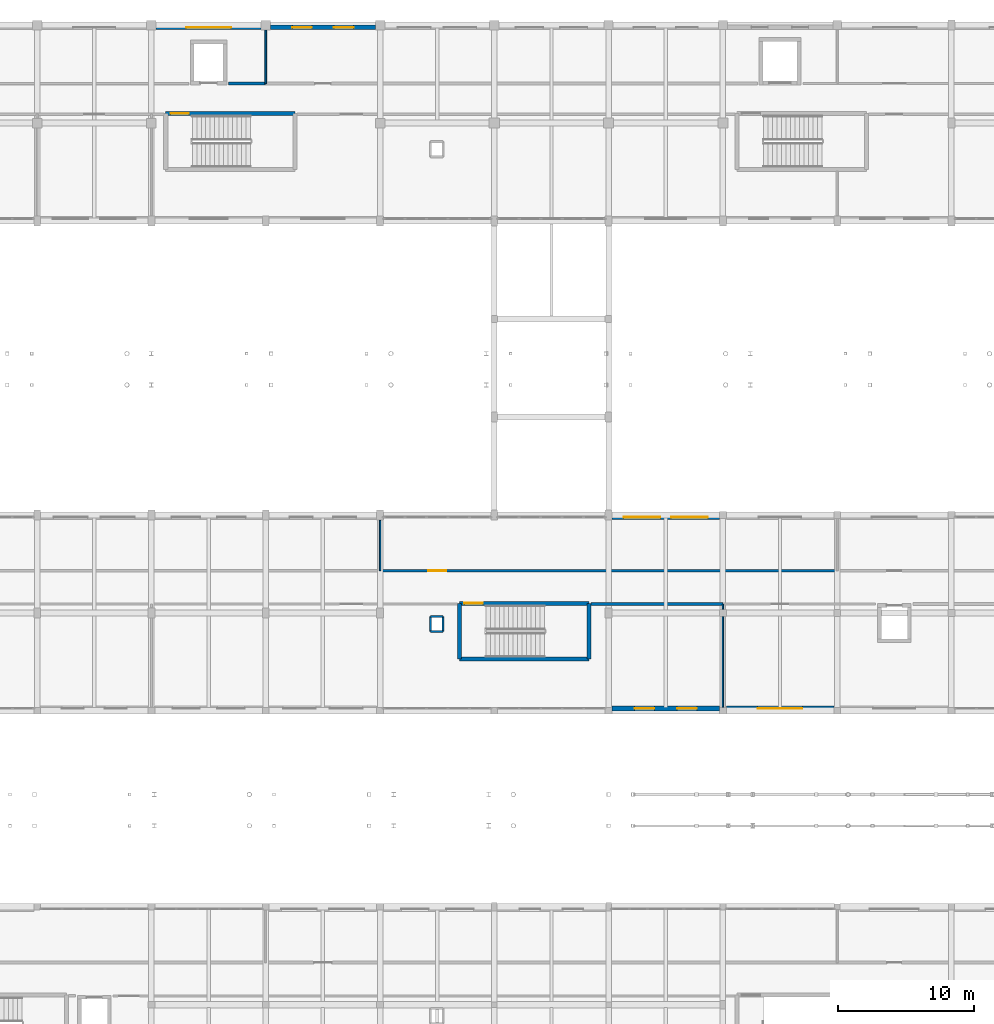
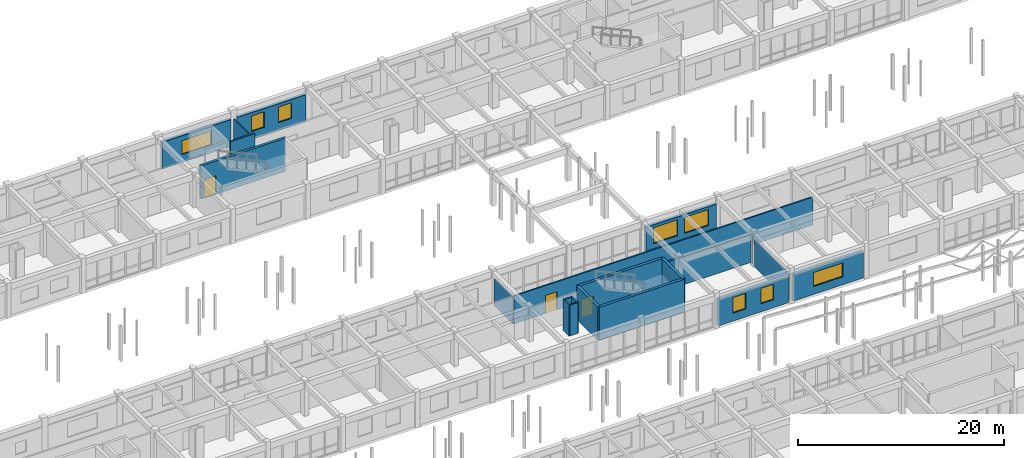
# One storey, part 76 of 90: 21 walls, 8 windows, 3 doors, 11 openings.
"""IFC4 building model written with IfcOpenShell, lengths in metres."""

from ifc_helpers import new_model, si_unit, direction, frame, frame_2d, origin, place, context, subcontext, project, spatial, rectangle, extrude, material, layer, layer_set, type_object, element, fill, save


model = new_model("IFC4")

# Units and contexts
model_context = context("Model", 3, precision=1e-05, world=origin(), true_north=direction((0.0, 1.0)))
body_context = subcontext(model_context, "Body", "Model", "MODEL_VIEW")
ifc_project = project(units=[si_unit("LENGTHUNIT", "METRE"), si_unit("AREAUNIT", "SQUARE_METRE"), si_unit("VOLUMEUNIT", "CUBIC_METRE"), si_unit("PLANEANGLEUNIT", "RADIAN"), si_unit("MASSUNIT", "GRAM", prefix="KILO")], contexts=[model_context])

# Site, building, storey
site_placement = place(None, origin())
site = spatial("IfcSite", under=ifc_project, at=site_placement, CompositionType="ELEMENT")
building_placement = place(site_placement, origin())
building = spatial("IfcBuilding", under=site, at=building_placement, Name="Malvenik Polytechnic", CompositionType="ELEMENT")
storey_placement = place(building_placement, frame((0.0, 0.0, 9.300048828125)))
storey = spatial("IfcBuildingStorey", under=building, at=storey_placement, Name="L02", CompositionType="ELEMENT", Elevation=9.300048828125)

# Wall, opening, door
ifc_material_1 = material(Name="Concrete C35/45", Category="concrete")
ifc_layer_1 = layer(ifc_material_1, 0.300048828125)
ifc_layer_set_1 = layer_set([ifc_layer_1], Name="Concrete C35/45")
wall_type_1 = type_object("IfcWallType", Name="ARC-CW-S300", PredefinedType="SHEAR", material=ifc_layer_set_1)
wall_1_placement = place(storey_placement, frame((51.449951171875, 123.10009765625, 0.0), z_axis=(0.0, 0.0, 1.0), x_axis=(1.0, 0.0, 0.0)))
wall_1 = element("IfcWall", 1, at=wall_1_placement, inside=storey, type_object=wall_type_1, Name="Stair Core Shear Wall ST-02 L02 RGHT", PredefinedType="SHEAR", context=body_context, shape_type="SweptSolid", body=[
    extrude(rectangle(XDim=9.5, YDim=0.300048828125, at=frame_2d((4.75, 0.0))), origin(), (0.0, 0.0, 1.0), 3.93994140625),
])
opening_1_placement = place(wall_1_placement, frame((0.35009765625, 0.0, 0.0)))
opening_1 = element("IfcOpeningElement", 2, at=opening_1_placement, cuts=wall_1, Name="Opening SD-01", PredefinedType="OPENING", context=body_context, shape_type="SweptSolid", body=[
    extrude(rectangle(XDim=1.35009765625, YDim=2.199951171875, at=frame_2d((0.675048828125, 1.10009765625))), frame((0.0, 0.16015625, 0.0), z_axis=(0.0, -1.0, 0.0), x_axis=(1.0, 0.0, 0.0)), (0.0, 0.0, 1.0), 0.320068359375),
])
ifc_material_2 = material(Name="Fire-rated steel stair enclosure door", Category="steel")
door_type_1 = type_object("IfcDoorType", Name="ARC-IDR-SD-01", OperationType="NOTDEFINED", PredefinedType="DOOR", material=ifc_material_2)
door_1_placement = place(opening_1_placement, origin())
door_1 = element("IfcDoor", 3, at=door_1_placement, inside=storey, type_object=door_type_1, Name="Fire Stair Door ST-02 L02", OperationType="SINGLE_SWING_LEFT", OverallHeight=2.199951171875, OverallWidth=1.35009765625, PredefinedType="DOOR", context=body_context, shape_type="SweptSolid", body=[
    extrude(rectangle(XDim=1.35009765625, YDim=2.199951171875, at=frame_2d((0.675048828125, 1.10009765625))), frame((0.0, 0.02490234375, 0.0), z_axis=(0.0, -1.0, 0.0), x_axis=(1.0, 0.0, 0.0)), (0.0, 0.0, 1.0), 0.050048828125),
])
fill(opening_1, door_1)

# Wall
wall_2_placement = place(storey_placement, frame((73.050048828125, 83.0, 0.0), z_axis=(0.0, 0.0, 1.0), x_axis=(0.0, 1.0, 0.0)))
element("IfcWall", 4, at=wall_2_placement, inside=storey, type_object=wall_type_1, Name="Stair Core Shear Wall ST-05 L02 NEAR", PredefinedType="SHEAR", context=body_context, shape_type="SweptSolid", body=[
    extrude(rectangle(XDim=4.10009765625, YDim=0.300048828125, at=frame_2d((2.050048828125, 0.0))), origin(), (0.0, 0.0, 1.0), 3.93994140625),
])

# Wall, opening, door
wall_3_placement = place(storey_placement, frame((73.050048828125, 87.10009765625, 0.0), z_axis=(0.0, 0.0, 1.0), x_axis=(1.0, 0.0, 0.0)))
wall_3 = element("IfcWall", 5, at=wall_3_placement, inside=storey, type_object=wall_type_1, Name="Stair Core Shear Wall ST-05 L02 RGHT", PredefinedType="SHEAR", context=body_context, shape_type="SweptSolid", body=[
    extrude(rectangle(XDim=9.5, YDim=0.300048828125, at=frame_2d((4.75, 0.0))), origin(), (0.0, 0.0, 1.0), 3.93994140625),
])
opening_2_placement = place(wall_3_placement, frame((0.35009765625, 0.0, 0.0)))
opening_2 = element("IfcOpeningElement", 6, at=opening_2_placement, cuts=wall_3, Name="Opening SD-01", PredefinedType="OPENING", context=body_context, shape_type="SweptSolid", body=[
    extrude(rectangle(XDim=1.35009765625, YDim=2.199951171875, at=frame_2d((0.675048828125, 1.10009765625))), frame((0.0, 0.16015625, 0.0), z_axis=(0.0, -1.0, 0.0), x_axis=(1.0, 0.0, 0.0)), (0.0, 0.0, 1.0), 0.320068359375),
])
door_2_placement = place(opening_2_placement, origin())
door_2 = element("IfcDoor", 7, at=door_2_placement, inside=storey, type_object=door_type_1, Name="Fire Stair Door ST-05 L02", OperationType="SINGLE_SWING_RIGHT", OverallHeight=2.199951171875, OverallWidth=1.35009765625, PredefinedType="DOOR", context=body_context, shape_type="SweptSolid", body=[
    extrude(rectangle(XDim=1.35009765625, YDim=2.199951171875, at=frame_2d((0.675048828125, 1.10009765625))), frame((0.0, 0.02490234375, 0.0), z_axis=(0.0, -1.0, 0.0), x_axis=(1.0, 0.0, 0.0)), (0.0, 0.0, 1.0), 0.050048828125),
])
fill(opening_2, door_2)

# Walls
wall_4_placement = place(storey_placement, frame((82.550048828125, 87.10009765625, 0.0), z_axis=(0.0, 0.0, 1.0), x_axis=(0.0, -1.0, 0.0)))
element("IfcWall", 8, at=wall_4_placement, inside=storey, type_object=wall_type_1, Name="Stair Core Shear Wall ST-05 L02 FAR", PredefinedType="SHEAR", context=body_context, shape_type="SweptSolid", body=[
    extrude(rectangle(XDim=4.10009765625, YDim=0.300048828125, at=frame_2d((2.050048828125, 0.0))), origin(), (0.0, 0.0, 1.0), 3.93994140625),
])
wall_5_placement = place(storey_placement, frame((82.550048828125, 83.0, 0.0), z_axis=(0.0, 0.0, 1.0), x_axis=(-1.0, 0.0, 0.0)))
element("IfcWall", 9, at=wall_5_placement, inside=storey, type_object=wall_type_1, Name="Stair Core Shear Wall ST-05 L02 LEFT", PredefinedType="SHEAR", context=body_context, shape_type="SweptSolid", body=[
    extrude(rectangle(XDim=9.5, YDim=0.300048828125, at=frame_2d((4.75, 0.0))), origin(), (0.0, 0.0, 1.0), 3.93994140625),
])

# Wall, opening, window
ifc_material_3 = material(Name="Concrete C30/37", Category="concrete")
ifc_layer_2 = layer(ifc_material_3, 0.340087890625)
ifc_layer_set_2 = layer_set([ifc_layer_2], Name="Concrete C30/37")
wall_type_2 = type_object("IfcWallType", Name="ARC-EW-340", PredefinedType="SOLIDWALL", material=ifc_layer_set_2)
wall_6_placement = place(storey_placement, frame((100.552001953125, 79.3701171875, 0.0), z_axis=(0.0, 0.0, 1.0), x_axis=(-1.0, 0.0, 0.0)))
wall_6 = element("IfcWall", 10, at=wall_6_placement, inside=storey, type_object=wall_type_2, Name="External Facade Wall EW-02 L02 #299", PredefinedType="SOLIDWALL", context=body_context, shape_type="SweptSolid", body=[
    extrude(rectangle(XDim=7.904052734375, YDim=0.340087890625, at=frame_2d((3.9521484375, 0.0))), origin(), (0.0, 0.0, 1.0), 3.179931640625),
])
opening_3_placement = place(wall_6_placement, frame((2.302001953125, 0.0, 0.949951171875)))
opening_3 = element("IfcOpeningElement", 11, at=opening_3_placement, cuts=wall_6, Name="Opening W-30", PredefinedType="OPENING", context=body_context, shape_type="SweptSolid", body=[
    extrude(rectangle(XDim=3.300048828125, YDim=1.64990234375, at=frame_2d((1.64990234375, 0.824951171875))), frame((0.0, 0.18017578125, 0.0), z_axis=(0.0, -1.0, 0.0), x_axis=(1.0, 0.0, 0.0)), (0.0, 0.0, 1.0), 0.360107421875),
])
ifc_material_4 = material(Name="Thermally broken aluminium frame with low-E double glazing", Category="aluminium")
window_type_1 = type_object("IfcWindowType", Name="ARC-WIN-W-30", PartitioningType="SINGLE_PANEL", PredefinedType="WINDOW", material=ifc_material_4)
window_1_placement = place(opening_3_placement, origin())
window_1 = element("IfcWindow", 12, at=window_1_placement, inside=storey, type_object=window_type_1, Name="Punched Window W-30 L02 #270", OverallHeight=1.64990234375, OverallWidth=3.300048828125, PartitioningType="SINGLE_PANEL", PredefinedType="WINDOW", context=body_context, shape_type="SweptSolid", body=[
    extrude(rectangle(XDim=3.300048828125, YDim=1.64990234375, at=frame_2d((1.64990234375, 0.824951171875))), frame((0.0, 0.030029296875, 0.0), z_axis=(0.0, -1.0, 0.0), x_axis=(1.0, 0.0, 0.0)), (0.0, 0.0, 1.0), 0.06005859375),
])
fill(opening_3, window_1)

# Wall, openings, windows
wall_7_placement = place(storey_placement, frame((92.152099609375, 79.3701171875, 0.0), z_axis=(0.0, 0.0, 1.0), x_axis=(-1.0, 0.0, 0.0)))
wall_7 = element("IfcWall", 13, at=wall_7_placement, inside=storey, type_object=wall_type_2, Name="External Facade Wall EW-02 L02 #300", PredefinedType="SOLIDWALL", context=body_context, shape_type="SweptSolid", body=[
    extrude(rectangle(XDim=7.904052734375, YDim=0.340087890625, at=frame_2d((3.9521484375, 0.0))), origin(), (0.0, 0.0, 1.0), 3.179931640625),
])
opening_4_placement = place(wall_7_placement, frame((1.66796875, 0.0, 0.949951171875)))
opening_4 = element("IfcOpeningElement", 14, at=opening_4_placement, cuts=wall_7, Name="Opening W-31", PredefinedType="OPENING", context=body_context, shape_type="SweptSolid", body=[
    extrude(rectangle(XDim=1.449951171875, YDim=1.85009765625, at=frame_2d((0.72509765625, 0.925048828125))), frame((0.0, 0.18017578125, 0.0), z_axis=(0.0, -1.0, 0.0), x_axis=(1.0, 0.0, 0.0)), (0.0, 0.0, 1.0), 0.360107421875),
])
opening_5_placement = place(wall_7_placement, frame((4.785888671875, 0.0, 0.949951171875)))
opening_5 = element("IfcOpeningElement", 15, at=opening_5_placement, cuts=wall_7, Name="Opening W-31", PredefinedType="OPENING", context=body_context, shape_type="SweptSolid", body=[
    extrude(rectangle(XDim=1.449951171875, YDim=1.85009765625, at=frame_2d((0.72509765625, 0.925048828125))), frame((0.0, 0.18017578125, 0.0), z_axis=(0.0, -1.0, 0.0), x_axis=(1.0, 0.0, 0.0)), (0.0, 0.0, 1.0), 0.360107421875),
])
window_type_2 = type_object("IfcWindowType", Name="ARC-WIN-W-31", PartitioningType="SINGLE_PANEL", PredefinedType="WINDOW", material=ifc_material_4)
window_2_placement = place(opening_4_placement, origin())
window_2 = element("IfcWindow", 16, at=window_2_placement, inside=storey, type_object=window_type_2, Name="Punched Window W-31 L02 #271", OverallHeight=1.85009765625, OverallWidth=1.449951171875, PartitioningType="SINGLE_PANEL", PredefinedType="WINDOW", context=body_context, shape_type="SweptSolid", body=[
    extrude(rectangle(XDim=1.449951171875, YDim=1.85009765625, at=frame_2d((0.72509765625, 0.925048828125))), frame((0.0, 0.030029296875, 0.0), z_axis=(0.0, -1.0, 0.0), x_axis=(1.0, 0.0, 0.0)), (0.0, 0.0, 1.0), 0.06005859375),
])
fill(opening_4, window_2)
window_3_placement = place(opening_5_placement, origin())
window_3 = element("IfcWindow", 17, at=window_3_placement, inside=storey, type_object=window_type_2, Name="Punched Window W-31 L02 #272", OverallHeight=1.85009765625, OverallWidth=1.449951171875, PartitioningType="SINGLE_PANEL", PredefinedType="WINDOW", context=body_context, shape_type="SweptSolid", body=[
    extrude(rectangle(XDim=1.449951171875, YDim=1.85009765625, at=frame_2d((0.72509765625, 0.925048828125))), frame((0.0, 0.030029296875, 0.0), z_axis=(0.0, -1.0, 0.0), x_axis=(1.0, 0.0, 0.0)), (0.0, 0.0, 1.0), 0.06005859375),
])
fill(opening_5, window_3)

wall_8_placement = place(storey_placement, frame((84.248046875, 93.429931640625, 0.0), z_axis=(0.0, 0.0, 1.0), x_axis=(1.0, 0.0, 0.0)))
wall_8 = element("IfcWall", 18, at=wall_8_placement, inside=storey, type_object=wall_type_2, Name="External Facade Wall EW-02 L02 #317", PredefinedType="SOLIDWALL", context=body_context, shape_type="SweptSolid", body=[
    extrude(rectangle(XDim=7.904052734375, YDim=0.340087890625, at=frame_2d((3.9521484375, 0.0))), origin(), (0.0, 0.0, 1.0), 3.179931640625),
])
opening_6_placement = place(wall_8_placement, frame((0.85009765625, 0.0, 0.949951171875)))
opening_6 = element("IfcOpeningElement", 19, at=opening_6_placement, cuts=wall_8, Name="Opening W-27", PredefinedType="OPENING", context=body_context, shape_type="SweptSolid", body=[
    extrude(rectangle(XDim=2.699951171875, YDim=1.89990234375, at=frame_2d((1.35009765625, 0.949951171875))), frame((0.0, 0.18017578125, 0.0), z_axis=(0.0, -1.0, 0.0), x_axis=(1.0, 0.0, 0.0)), (0.0, 0.0, 1.0), 0.360107421875),
])
opening_7_placement = place(wall_8_placement, frame((4.35400390625, 0.0, 0.949951171875)))
opening_7 = element("IfcOpeningElement", 20, at=opening_7_placement, cuts=wall_8, Name="Opening W-27", PredefinedType="OPENING", context=body_context, shape_type="SweptSolid", body=[
    extrude(rectangle(XDim=2.699951171875, YDim=1.89990234375, at=frame_2d((1.35009765625, 0.949951171875))), frame((0.0, 0.18017578125, 0.0), z_axis=(0.0, -1.0, 0.0), x_axis=(1.0, 0.0, 0.0)), (0.0, 0.0, 1.0), 0.360107421875),
])
window_type_3 = type_object("IfcWindowType", Name="ARC-WIN-W-27", PartitioningType="SINGLE_PANEL", PredefinedType="WINDOW", material=ifc_material_4)
window_4_placement = place(opening_6_placement, origin())
window_4 = element("IfcWindow", 21, at=window_4_placement, inside=storey, type_object=window_type_3, Name="Punched Window W-27 L02 #299", OverallHeight=1.89990234375, OverallWidth=2.699951171875, PartitioningType="SINGLE_PANEL", PredefinedType="WINDOW", context=body_context, shape_type="SweptSolid", body=[
    extrude(rectangle(XDim=2.699951171875, YDim=1.89990234375, at=frame_2d((1.35009765625, 0.949951171875))), frame((0.0, 0.030029296875, 0.0), z_axis=(0.0, -1.0, 0.0), x_axis=(1.0, 0.0, 0.0)), (0.0, 0.0, 1.0), 0.06005859375),
])
fill(opening_6, window_4)
window_5_placement = place(opening_7_placement, origin())
window_5 = element("IfcWindow", 22, at=window_5_placement, inside=storey, type_object=window_type_3, Name="Punched Window W-27 L02 #300", OverallHeight=1.89990234375, OverallWidth=2.699951171875, PartitioningType="SINGLE_PANEL", PredefinedType="WINDOW", context=body_context, shape_type="SweptSolid", body=[
    extrude(rectangle(XDim=2.699951171875, YDim=1.89990234375, at=frame_2d((1.35009765625, 0.949951171875))), frame((0.0, 0.030029296875, 0.0), z_axis=(0.0, -1.0, 0.0), x_axis=(1.0, 0.0, 0.0)), (0.0, 0.0, 1.0), 0.06005859375),
])
fill(opening_7, window_5)

# Wall, opening, window
wall_9_placement = place(storey_placement, frame((50.748046875, 129.429931640625, 0.0), z_axis=(0.0, 0.0, 1.0), x_axis=(1.0, 0.0, 0.0)))
wall_9 = element("IfcWall", 23, at=wall_9_placement, inside=storey, type_object=wall_type_2, Name="External Facade Wall EW-02 L02 #342", PredefinedType="SOLIDWALL", context=body_context, shape_type="SweptSolid", body=[
    extrude(rectangle(XDim=7.703857421875, YDim=0.340087890625, at=frame_2d((3.85205078125, 0.0))), origin(), (0.0, 0.0, 1.0), 3.179931640625),
])
opening_8_placement = place(wall_9_placement, frame((2.201904296875, 0.0, 0.949951171875)))
opening_8 = element("IfcOpeningElement", 24, at=opening_8_placement, cuts=wall_9, Name="Opening W-30", PredefinedType="OPENING", context=body_context, shape_type="SweptSolid", body=[
    extrude(rectangle(XDim=3.300048828125, YDim=1.64990234375, at=frame_2d((1.64990234375, 0.824951171875))), frame((0.0, 0.18017578125, 0.0), z_axis=(0.0, -1.0, 0.0), x_axis=(1.0, 0.0, 0.0)), (0.0, 0.0, 1.0), 0.360107421875),
])
window_6_placement = place(opening_8_placement, origin())
window_6 = element("IfcWindow", 25, at=window_6_placement, inside=storey, type_object=window_type_1, Name="Punched Window W-30 L02 #334", OverallHeight=1.64990234375, OverallWidth=3.300048828125, PartitioningType="SINGLE_PANEL", PredefinedType="WINDOW", context=body_context, shape_type="SweptSolid", body=[
    extrude(rectangle(XDim=3.300048828125, YDim=1.64990234375, at=frame_2d((1.64990234375, 0.824951171875))), frame((0.0, 0.030029296875, 0.0), z_axis=(0.0, -1.0, 0.0), x_axis=(1.0, 0.0, 0.0)), (0.0, 0.0, 1.0), 0.06005859375),
])
fill(opening_8, window_6)

# Wall, openings, windows
wall_10_placement = place(storey_placement, frame((59.14794921875, 129.429931640625, 0.0), z_axis=(0.0, 0.0, 1.0), x_axis=(1.0, 0.0, 0.0)))
wall_10 = element("IfcWall", 26, at=wall_10_placement, inside=storey, type_object=wall_type_2, Name="External Facade Wall EW-02 L02 #343", PredefinedType="SOLIDWALL", context=body_context, shape_type="SweptSolid", body=[
    extrude(rectangle(XDim=7.7041015625, YDim=0.340087890625, at=frame_2d((3.85205078125, 0.0))), origin(), (0.0, 0.0, 1.0), 3.179931640625),
])
opening_9_placement = place(wall_10_placement, frame((1.601318359375, 0.0, 0.949951171875)))
opening_9 = element("IfcOpeningElement", 27, at=opening_9_placement, cuts=wall_10, Name="Opening W-31", PredefinedType="OPENING", context=body_context, shape_type="SweptSolid", body=[
    extrude(rectangle(XDim=1.449951171875, YDim=1.85009765625, at=frame_2d((0.72509765625, 0.925048828125))), frame((0.0, 0.18017578125, 0.0), z_axis=(0.0, -1.0, 0.0), x_axis=(1.0, 0.0, 0.0)), (0.0, 0.0, 1.0), 0.360107421875),
])
opening_10_placement = place(wall_10_placement, frame((4.652587890625, 0.0, 0.949951171875)))
opening_10 = element("IfcOpeningElement", 28, at=opening_10_placement, cuts=wall_10, Name="Opening W-31", PredefinedType="OPENING", context=body_context, shape_type="SweptSolid", body=[
    extrude(rectangle(XDim=1.449951171875, YDim=1.85009765625, at=frame_2d((0.72509765625, 0.925048828125))), frame((0.0, 0.18017578125, 0.0), z_axis=(0.0, -1.0, 0.0), x_axis=(1.0, 0.0, 0.0)), (0.0, 0.0, 1.0), 0.360107421875),
])
window_7_placement = place(opening_9_placement, origin())
window_7 = element("IfcWindow", 29, at=window_7_placement, inside=storey, type_object=window_type_2, Name="Punched Window W-31 L02 #335", OverallHeight=1.85009765625, OverallWidth=1.449951171875, PartitioningType="SINGLE_PANEL", PredefinedType="WINDOW", context=body_context, shape_type="SweptSolid", body=[
    extrude(rectangle(XDim=1.449951171875, YDim=1.85009765625, at=frame_2d((0.72509765625, 0.925048828125))), frame((0.0, 0.030029296875, 0.0), z_axis=(0.0, -1.0, 0.0), x_axis=(1.0, 0.0, 0.0)), (0.0, 0.0, 1.0), 0.06005859375),
])
fill(opening_9, window_7)
window_8_placement = place(opening_10_placement, origin())
window_8 = element("IfcWindow", 30, at=window_8_placement, inside=storey, type_object=window_type_2, Name="Punched Window W-31 L02 #336", OverallHeight=1.85009765625, OverallWidth=1.449951171875, PartitioningType="SINGLE_PANEL", PredefinedType="WINDOW", context=body_context, shape_type="SweptSolid", body=[
    extrude(rectangle(XDim=1.449951171875, YDim=1.85009765625, at=frame_2d((0.72509765625, 0.925048828125))), frame((0.0, 0.030029296875, 0.0), z_axis=(0.0, -1.0, 0.0), x_axis=(1.0, 0.0, 0.0)), (0.0, 0.0, 1.0), 0.06005859375),
])
fill(opening_10, window_8)

# Walls
ifc_material_5 = material(Name="Calcium silicate fire-rated blockwork 200mm", Category="masonry")
ifc_layer_3 = layer(ifc_material_5, 0.199951171875)
ifc_layer_set_3 = layer_set([ifc_layer_3], Name="Calcium silicate fire-rated blockwork 200mm")
wall_type_3 = type_object("IfcWallType", Name="ARC-FW-200", PredefinedType="SOLIDWALL", material=ifc_layer_set_3)
wall_11_placement = place(storey_placement, frame((56.070068359375, 125.300048828125, 0.0), z_axis=(0.0, 0.0, 1.0), x_axis=(1.0, 0.0, 0.0)))
element("IfcWall", 31, at=wall_11_placement, inside=storey, type_object=wall_type_3, Name="Interior Partition FW-02 L02 #240", PredefinedType="SOLIDWALL", context=body_context, shape_type="SweptSolid", body=[
    extrude(rectangle(XDim=2.72998046875, YDim=0.199951171875, at=frame_2d((1.364990234375, 0.0))), origin(), (0.0, 0.0, 1.0), 3.849853515625),
])
wall_12_placement = place(storey_placement, frame((92.39990234375, 87.050048828125, 0.0), z_axis=(0.0, 0.0, 1.0), x_axis=(-1.0, 0.0, 0.0)))
element("IfcWall", 32, at=wall_12_placement, inside=storey, type_object=wall_type_3, Name="Interior Partition FW-02 L02 #278", PredefinedType="SOLIDWALL", context=body_context, shape_type="SweptSolid", body=[
    extrude(rectangle(XDim=9.7099609375, YDim=0.199951171875, at=frame_2d((4.85498046875, 0.0))), origin(), (0.0, 0.0, 1.0), 3.324951171875),
])
ifc_material_6 = material(Name="Lightweight gypsum partition 110mm", Category="gypsum")
ifc_layer_4 = layer(ifc_material_6, 0.110107421875)
ifc_layer_set_4 = layer_set([ifc_layer_4], Name="Lightweight gypsum partition 110mm")
wall_type_4 = type_object("IfcWallType", Name="ARC-PW-110", PredefinedType="PARTITIONING", material=ifc_layer_set_4)
wall_13_placement = place(storey_placement, frame((67.199951171875, 89.5, 0.0), z_axis=(0.0, 0.0, 1.0), x_axis=(0.0, 1.0, 0.0)))
element("IfcWall", 33, at=wall_13_placement, inside=storey, type_object=wall_type_4, Name="Interior Partition PW-04I L02 #266", PredefinedType="PARTITIONING", context=body_context, shape_type="SweptSolid", body=[
    extrude(rectangle(XDim=3.705078125, YDim=0.110107421875, at=frame_2d((1.8525390625, 0.0))), origin(), (0.0, 0.0, 1.0), 3.175048828125),
])
wall_14_placement = place(storey_placement, frame((92.39990234375, 86.669921875, 0.0), z_axis=(0.0, 0.0, 1.0), x_axis=(0.0, 1.0, 0.0)))
element("IfcWall", 34, at=wall_14_placement, inside=storey, type_object=wall_type_4, Name="Interior Partition PW-04I L02 #281", PredefinedType="PARTITIONING", context=body_context, shape_type="SweptSolid", body=[
    extrude(rectangle(XDim=0.380126953125, YDim=0.110107421875, at=frame_2d((0.18994140625, 0.0))), origin(), (0.0, 0.0, 1.0), 3.175048828125),
])
ifc_material_7 = material(Name="Metal-stud gypsum board partition 125mm", Category="gypsum")
ifc_layer_5 = layer(ifc_material_7, 0.125)
ifc_layer_set_5 = layer_set([ifc_layer_5], Name="Metal-stud gypsum board partition 125mm")
wall_type_5 = type_object("IfcWallType", Name="ARC-PW-125", PredefinedType="PARTITIONING", material=ifc_layer_set_5)
wall_15_placement = place(storey_placement, frame((58.800048828125, 125.300048828125, 0.0), z_axis=(0.0, 0.0, 1.0), x_axis=(0.0, 1.0, 0.0)))
element("IfcWall", 35, at=wall_15_placement, inside=storey, type_object=wall_type_5, Name="Interior Partition PW-03I L02 #241", PredefinedType="PARTITIONING", context=body_context, shape_type="SweptSolid", body=[
    extrude(rectangle(XDim=3.929931640625, YDim=0.125, at=frame_2d((1.96484375, 0.0))), origin(), (0.0, 0.0, 1.0), 3.175048828125),
])
wall_16_placement = place(storey_placement, frame((92.39990234375, 79.469970703125, 0.0), z_axis=(0.0, 0.0, 1.0), x_axis=(0.0, 1.0, 0.0)))
element("IfcWall", 36, at=wall_16_placement, inside=storey, type_object=wall_type_5, Name="Interior Partition PW-03I L02 #280", PredefinedType="PARTITIONING", context=body_context, shape_type="SweptSolid", body=[
    extrude(rectangle(XDim=6.659912109375, YDim=0.125, at=frame_2d((3.330078125, 0.0))), origin(), (0.0, 0.0, 1.0), 3.175048828125),
])
ifc_material_8 = material(Name="Double-stud acoustic gypsum board partition 160mm", Category="gypsum")
ifc_layer_6 = layer(ifc_material_8, 0.159912109375)
ifc_layer_set_6 = layer_set([ifc_layer_6], Name="Double-stud acoustic gypsum board partition 160mm")
wall_type_6 = type_object("IfcWallType", Name="ARC-PW-160", PredefinedType="PARTITIONING", material=ifc_layer_set_6)
for number, where, z_axis, x_axis, name in (
    (37, (70.919921875, 85.02001953125, 0.0), (0.0, 0.0, 1.0), (1.0, 0.0, 0.0), "Riser Shaft Enclosure L02 #32S"),
    (38, (71.830078125, 86.1298828125, 0.0), (0.0, 0.0, 1.0), (-1.0, 0.0, 0.0), "Riser Shaft Enclosure L02 #32N"),
):
    element("IfcWall", number, at=place(storey_placement, frame(where, z_axis=z_axis, x_axis=x_axis)), inside=storey, type_object=wall_type_6, Name=name, PredefinedType="PARTITIONING", context=body_context, shape_type="SweptSolid", body=[
        extrude(rectangle(XDim=0.91015625, YDim=0.159912109375, at=frame_2d((0.455078125, 0.0))), origin(), (0.0, 0.0, 1.0), 3.64990234375),
    ])
for number, where, z_axis, x_axis, name in (
    (39, (70.919921875, 86.1298828125, 0.0), (0.0, 0.0, 1.0), (0.0, -1.0, 0.0), "Riser Shaft Enclosure L02 #32W"),
    (40, (71.830078125, 85.02001953125, 0.0), (0.0, 0.0, 1.0), (0.0, 1.0, 0.0), "Riser Shaft Enclosure L02 #32E"),
):
    element("IfcWall", number, at=place(storey_placement, frame(where, z_axis=z_axis, x_axis=x_axis)), inside=storey, type_object=wall_type_6, Name=name, PredefinedType="PARTITIONING", context=body_context, shape_type="SweptSolid", body=[
        extrude(rectangle(XDim=1.10986328125, YDim=0.159912109375, at=frame_2d((0.554931640625, 0.0))), origin(), (0.0, 0.0, 1.0), 3.64990234375),
    ])

# Wall, opening, door
wall_17_placement = place(storey_placement, frame((67.199951171875, 89.5, 0.0), z_axis=(0.0, 0.0, 1.0), x_axis=(1.0, 0.0, 0.0)))
wall_17 = element("IfcWall", 41, at=wall_17_placement, inside=storey, type_object=wall_type_6, Name="Interior Partition PW-01I L02 #267", PredefinedType="PARTITIONING", context=body_context, shape_type="SweptSolid", body=[
    extrude(rectangle(XDim=33.60009765625, YDim=0.159912109375, at=frame_2d((16.800048828125, 0.0))), origin(), (0.0, 0.0, 1.0), 3.324951171875),
])
opening_11_placement = place(wall_17_placement, frame((3.550048828125, 0.0, 0.0)))
opening_11 = element("IfcOpeningElement", 42, at=opening_11_placement, cuts=wall_17, Name="Opening FD-04", PredefinedType="OPENING", context=body_context, shape_type="SweptSolid", body=[
    extrude(rectangle(XDim=1.300048828125, YDim=2.14990234375, at=frame_2d((0.64990234375, 1.074951171875))), frame((0.0, 0.08984375, 0.0), z_axis=(0.0, -1.0, 0.0), x_axis=(1.0, 0.0, 0.0)), (0.0, 0.0, 1.0), 0.179931640625),
])
ifc_material_9 = material(Name="Fire-rated plant room steel door", Category="steel")
door_type_2 = type_object("IfcDoorType", Name="ARC-IDR-FD-04", OperationType="NOTDEFINED", PredefinedType="DOOR", material=ifc_material_9)
door_3_placement = place(opening_11_placement, origin())
door_3 = element("IfcDoor", 43, at=door_3_placement, inside=storey, type_object=door_type_2, Name="Interior Door FD-04 L02 #114", OperationType="SINGLE_SWING_LEFT", OverallHeight=2.14990234375, OverallWidth=1.300048828125, PredefinedType="DOOR", context=body_context, shape_type="SweptSolid", body=[
    extrude(rectangle(XDim=1.300048828125, YDim=2.14990234375, at=frame_2d((0.64990234375, 1.074951171875))), frame((0.0, 0.02490234375, 0.0), z_axis=(0.0, -1.0, 0.0), x_axis=(1.0, 0.0, 0.0)), (0.0, 0.0, 1.0), 0.050048828125),
])
fill(opening_11, door_3)

save(model, "model.ifc")
